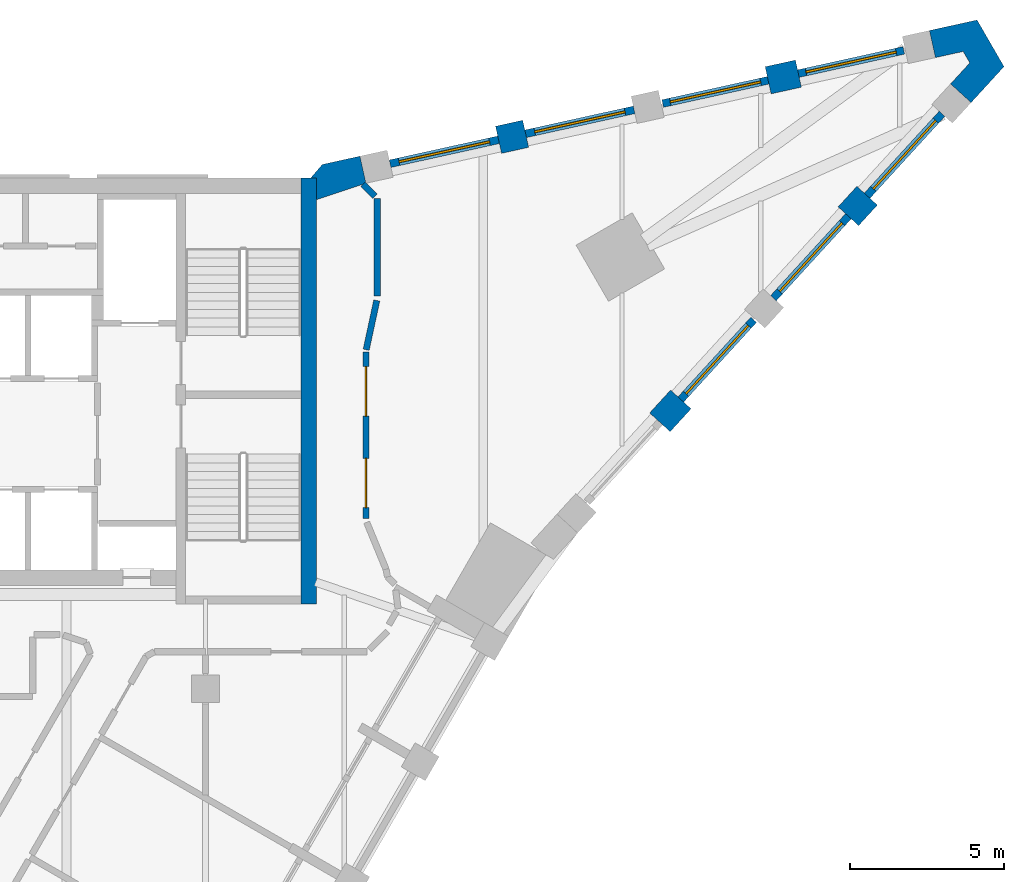
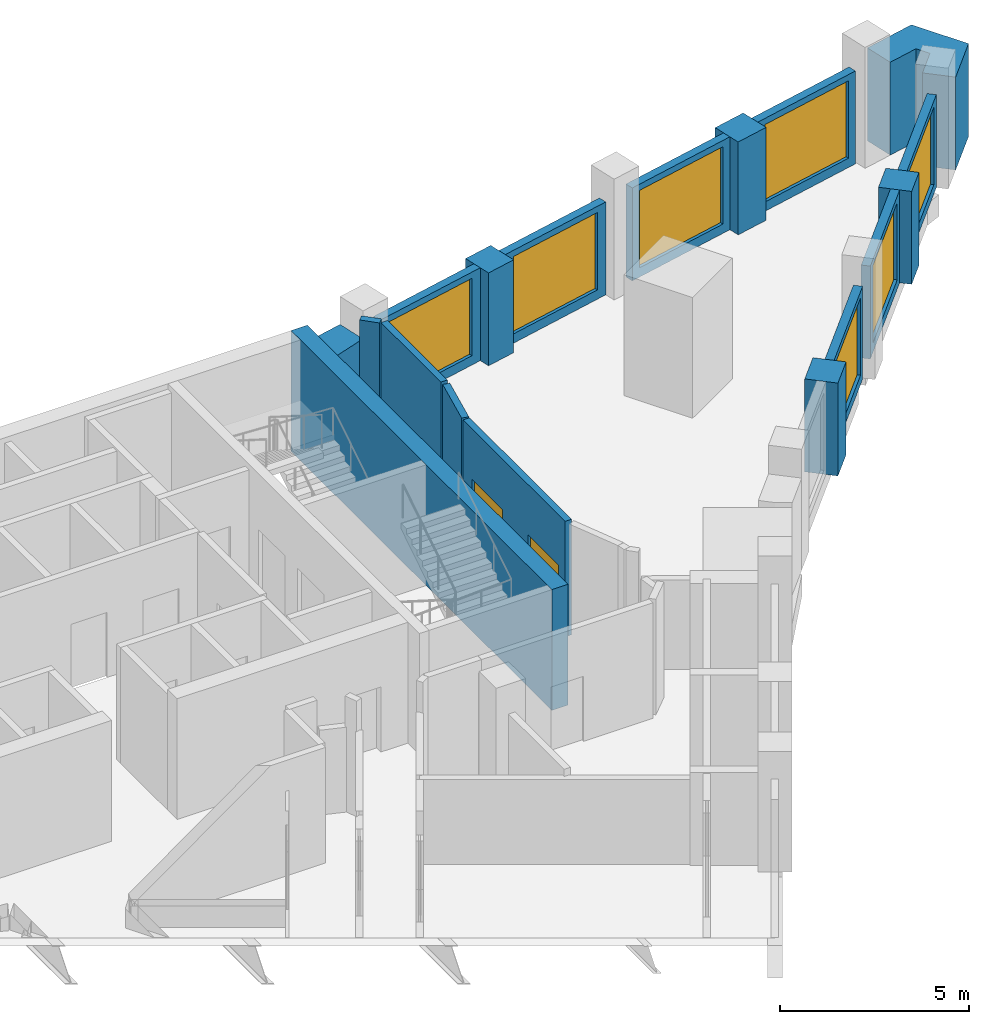
# One storey, part 7 of 9: 18 walls, 7 windows, 2 doors, 9 openings.
"""IFC4 building model written with IfcOpenShell, lengths in metres."""

from ifc_helpers import new_model, si_unit, direction, frame, frame_2d, origin, place, context, subcontext, project, spatial, polyline, rectangle, outline, extrude, material, layer, layer_set, type_object, element, fill, save


model = new_model("IFC4")

# Units and contexts
model_context = context("Model", 3, precision=1e-05, world=origin(), true_north=direction((0.0, 1.0)))
body_context = subcontext(model_context, "Body", "Model", "MODEL_VIEW")
ifc_project = project(units=[si_unit("LENGTHUNIT", "METRE"), si_unit("AREAUNIT", "SQUARE_METRE"), si_unit("VOLUMEUNIT", "CUBIC_METRE"), si_unit("PLANEANGLEUNIT", "RADIAN"), si_unit("MASSUNIT", "GRAM", prefix="KILO")], contexts=[model_context])

# Site, building, storey
site_placement = place(None, origin())
site = spatial("IfcSite", under=ifc_project, at=site_placement, CompositionType="ELEMENT")
building_placement = place(site_placement, origin())
building = spatial("IfcBuilding", under=site, at=building_placement, Name="Calabash Gate Tower", CompositionType="ELEMENT")
storey_placement = place(building_placement, frame((0.0, 0.0, 291.10009765625)))
storey = spatial("IfcBuildingStorey", under=building, at=storey_placement, Name="L70", CompositionType="ELEMENT", Elevation=291.10009765625)

# Walls
ifc_material_1 = material(Name="Terracotta brick masonry, exposed face", Category="masonry")
ifc_layer_1 = layer(ifc_material_1, 0.89990234375)
ifc_layer_set_1 = layer_set([ifc_layer_1], Name="Brick end wall 900")
wall_type_1 = type_object("IfcWallType", Name="Brick end wall 900", PredefinedType="SOLIDWALL", material=ifc_layer_set_1)
wall_1_placement = place(storey_placement, frame((23.728515625, 11.135009765625, 0.0), z_axis=(0.0, 0.0, 1.0), x_axis=(0.674788120713, 0.738011512203, 0.0)))
element("IfcWall", 1, at=wall_1_placement, inside=storey, type_object=wall_type_1, Name="Brick pier S21 wedge3.1", PredefinedType="SOLIDWALL", context=body_context, shape_type="SweptSolid", body=[
    extrude(rectangle(XDim=1.00390625, YDim=0.89990234375, at=frame_2d((0.501953125, 0.0))), origin(), (0.0, 0.0, 1.0), 3.0),
])
wall_2_placement = place(storey_placement, frame((30.44482421875, 18.47900390625, 0.0), z_axis=(0.0, 0.0, 1.0), x_axis=(-0.674938051731, -0.737874397391, 0.0)))
element("IfcWall", 2, at=wall_2_placement, inside=storey, type_object=wall_type_1, Name="Brick pier S21 wedge3.3", PredefinedType="SOLIDWALL", context=body_context, shape_type="SweptSolid", body=[
    extrude(rectangle(XDim=0.89990234375, YDim=0.89990234375, at=frame_2d((0.449951171875, 0.0))), origin(), (0.0, 0.0, 1.0), 3.0),
])
wall_3_placement = place(storey_placement, frame((28.21728515625, 22.436279296875, 0.0), z_axis=(0.0, 0.0, 1.0), x_axis=(-0.97656888558, -0.215205045752, 0.0)))
element("IfcWall", 3, at=wall_3_placement, inside=storey, type_object=wall_type_1, Name="Brick pier S21 wedge5.1", PredefinedType="SOLIDWALL", context=body_context, shape_type="SweptSolid", body=[
    extrude(rectangle(XDim=1.00390625, YDim=0.89990234375, at=frame_2d((0.501953125, 0.0))), origin(), (0.0, 0.0, 1.0), 3.0),
])
wall_4_placement = place(storey_placement, frame((18.4990234375, 20.2919921875, 0.0), z_axis=(0.0, 0.0, 1.0), x_axis=(0.976473402733, 0.215637876437, 0.0)))
element("IfcWall", 4, at=wall_4_placement, inside=storey, type_object=wall_type_1, Name="Brick pier S21 wedge5.3", PredefinedType="SOLIDWALL", context=body_context, shape_type="SweptSolid", body=[
    extrude(rectangle(XDim=0.900146484375, YDim=0.89990234375, at=frame_2d((0.4501953125, 0.0))), origin(), (0.0, 0.0, 1.0), 3.0),
])
wall_5_placement = place(storey_placement, origin())
element("IfcWall", 5, at=wall_5_placement, inside=storey, type_object=wall_type_1, Name="Brick end wall S21 2", PredefinedType="SOLIDWALL", context=body_context, shape_type="SweptSolid", body=[
    extrude(outline(polyline([(33.813720703125, 21.496337890625), (34.881591796875, 22.663818359375), (34.0087890625, 24.175048828125), (32.4638671875, 23.834228515625), (32.65771484375, 22.955322265625), (33.55908203125, 23.154296875), (33.7724609375, 22.78466796875), (33.149658203125, 22.103759765625), (33.813720703125, 21.496337890625)])), origin(), (0.0, 0.0, 1.0), 3.0),
])
wall_6_placement = place(storey_placement, origin())
element("IfcWall", 6, at=wall_6_placement, inside=storey, type_object=wall_type_1, Name="Brick end wall S21 3", PredefinedType="SOLIDWALL", context=body_context, shape_type="SweptSolid", body=[
    extrude(outline(polyline([(14.201416015625, 18.883056640625), (14.0078125, 19.761962890625), (12.784423828125, 19.491943359375), (12.410400390625, 19.052490234375), (12.60009765625, 19.052490234375), (12.60009765625, 18.351806640625), (14.201416015625, 18.883056640625)])), origin(), (0.0, 0.0, 1.0), 3.0),
])
ifc_material_2 = material(Name="Concrete C60/75", Category="concrete")
ifc_layer_2 = layer(ifc_material_2, 0.5)
ifc_layer_set_2 = layer_set([ifc_layer_2], Name="Core wall 500 Concrete C60/75")
wall_type_2 = type_object("IfcWallType", Name="Core wall 500 Concrete C60/75", PredefinedType="SHEAR", material=ifc_layer_set_2)
wall_7_placement = place(storey_placement, frame((12.35009765625, 5.252685546875, 0.0), z_axis=(0.0, 0.0, 1.0), x_axis=(0.0, 1.0, 0.0)))
element("IfcWall", 7, at=wall_7_placement, inside=storey, type_object=wall_type_2, Name="Core wall Z5-COLE L70", PredefinedType="SHEAR", context=body_context, shape_type="SweptSolid", body=[
    extrude(rectangle(XDim=13.7998046875, YDim=0.5, at=frame_2d((6.89990234375, 0.0))), origin(), (0.0, 0.0, 1.0), 3.89990234375),
])

# Wall, openings, doors
ifc_material_3 = material(Name="Gypsum board on steel studs, mineral wool", Category="steel")
ifc_layer_3 = layer(ifc_material_3, 0.199951171875)
ifc_layer_set_3 = layer_set([ifc_layer_3], Name="Partition 200 gypsum board EI 60")
wall_type_3 = type_object("IfcWallType", Name="Partition 200 gypsum board EI 60", PredefinedType="PARTITIONING", material=ifc_layer_set_3)
wall_8_placement = place(storey_placement, frame((14.200439453125, 8.017333984375, 0.0), z_axis=(0.0, 0.0, 1.0), x_axis=(0.0, 1.0, 0.0)))
wall_8 = element("IfcWall", 8, at=wall_8_placement, inside=storey, type_object=wall_type_3, Name="Partition", PredefinedType="PARTITIONING", context=body_context, shape_type="SweptSolid", body=[
    extrude(rectangle(XDim=5.400146484375, YDim=0.199951171875, at=frame_2d((2.7001953125, 0.0))), origin(), (0.0, 0.0, 1.0), 3.72998046875),
])
opening_1_placement = place(wall_8_placement, frame((3.3203125, 0.0, 0.0)))
opening_1 = element("IfcOpeningElement", 9, at=opening_1_placement, cuts=wall_8, Name="Opening 69-70-007", PredefinedType="OPENING", context=body_context, shape_type="SweptSolid", body=[
    extrude(rectangle(XDim=1.60009765625, YDim=2.10009765625, at=frame_2d((0.800048828125, 1.050048828125))), frame((0.0, 0.10986328125, 0.0), z_axis=(0.0, -1.0, 0.0), x_axis=(1.0, 0.0, 0.0)), (0.0, 0.0, 1.0), 0.219970703125),
])
opening_2_placement = place(wall_8_placement, frame((0.35009765625, 0.0, 0.0)))
opening_2 = element("IfcOpeningElement", 10, at=opening_2_placement, cuts=wall_8, Name="Opening 69-70-008", PredefinedType="OPENING", context=body_context, shape_type="SweptSolid", body=[
    extrude(rectangle(XDim=1.60009765625, YDim=2.10009765625, at=frame_2d((0.800048828125, 1.050048828125))), frame((0.0, 0.10986328125, 0.0), z_axis=(0.0, -1.0, 0.0), x_axis=(1.0, 0.0, 0.0)), (0.0, 0.0, 1.0), 0.219970703125),
])
ifc_material_4 = material(Name="Steel fire door set with fire-resisting glazing", Category="steel")
door_type = type_object("IfcDoorType", Name="LD1 Lounge double door 1600x2100", OperationType="NOTDEFINED", PredefinedType="DOOR", material=ifc_material_4)
door_1_placement = place(opening_1_placement, origin())
door_1 = element("IfcDoor", 11, at=door_1_placement, inside=storey, type_object=door_type, Name="Lounge double door", OperationType="DOUBLE_DOOR_SINGLE_SWING", OverallHeight=2.10009765625, OverallWidth=1.60009765625, PredefinedType="DOOR", context=body_context, shape_type="SweptSolid", body=[
    extrude(rectangle(XDim=1.60009765625, YDim=2.10009765625, at=frame_2d((0.800048828125, 1.050048828125))), frame((0.0, 0.02490234375, 0.0), z_axis=(0.0, -1.0, 0.0), x_axis=(1.0, 0.0, 0.0)), (0.0, 0.0, 1.0), 0.050048828125),
])
fill(opening_1, door_1)
door_2_placement = place(opening_2_placement, origin())
door_2 = element("IfcDoor", 12, at=door_2_placement, inside=storey, type_object=door_type, Name="Lounge double door", OperationType="DOUBLE_DOOR_SINGLE_SWING", OverallHeight=2.10009765625, OverallWidth=1.60009765625, PredefinedType="DOOR", context=body_context, shape_type="SweptSolid", body=[
    extrude(rectangle(XDim=1.60009765625, YDim=2.10009765625, at=frame_2d((0.800048828125, 1.050048828125))), frame((0.0, 0.02490234375, 0.0), z_axis=(0.0, -1.0, 0.0), x_axis=(1.0, 0.0, 0.0)), (0.0, 0.0, 1.0), 0.050048828125),
])
fill(opening_2, door_2)

# Walls
wall_9_placement = place(storey_placement, frame((14.2080078125, 13.48681640625, 0.0), z_axis=(0.0, 0.0, 1.0), x_axis=(0.210294567168, 0.977638069543, 0.0)))
element("IfcWall", 13, at=wall_9_placement, inside=storey, type_object=wall_type_3, Name="Partition", PredefinedType="PARTITIONING", context=body_context, shape_type="SweptSolid", body=[
    extrude(rectangle(XDim=1.633544921875, YDim=0.199951171875, at=frame_2d((0.81689453125, 0.0))), origin(), (0.0, 0.0, 1.0), 3.72998046875),
])
wall_10_placement = place(storey_placement, frame((14.566162109375, 18.392578125, 0.0), z_axis=(0.0, 0.0, 1.0), x_axis=(0.0, -1.0, 0.0)))
element("IfcWall", 14, at=wall_10_placement, inside=storey, type_object=wall_type_3, Name="Partition", PredefinedType="PARTITIONING", context=body_context, shape_type="SweptSolid", body=[
    extrude(rectangle(XDim=3.169921875, YDim=0.199951171875, at=frame_2d((1.5849609375, 0.0))), origin(), (0.0, 0.0, 1.0), 3.72998046875),
])
wall_11_placement = place(storey_placement, frame((14.107177734375, 18.851806640625, 0.0), z_axis=(0.0, 0.0, 1.0), x_axis=(0.707106781187, -0.707106781187, 0.0)))
element("IfcWall", 15, at=wall_11_placement, inside=storey, type_object=wall_type_3, Name="Partition", PredefinedType="PARTITIONING", context=body_context, shape_type="SweptSolid", body=[
    extrude(rectangle(XDim=0.54931640625, YDim=0.199951171875, at=frame_2d((0.274658203125, 0.0))), origin(), (0.0, 0.0, 1.0), 3.72998046875),
])

# Wall, opening, window
ifc_material_5 = material(Name="Aluminium framed window wall with insulated spandrel", Category="aluminium")
ifc_layer_4 = layer(ifc_material_5, 0.25)
ifc_layer_set_4 = layer_set([ifc_layer_4], Name="Prow window wall 250")
wall_type_4 = type_object("IfcWallType", Name="Prow window wall 250", PredefinedType="ELEMENTEDWALL", material=ifc_layer_set_4)
wall_12_placement = place(storey_placement, frame((24.40478515625, 11.87451171875, 0.0), z_axis=(0.0, 0.0, 1.0), x_axis=(0.67487449122, 0.737932531537, 0.0)))
wall_12 = element("IfcWall", 16, at=wall_12_placement, inside=storey, type_object=wall_type_4, Name="Prow window wall S21 wedge3.2", PredefinedType="ELEMENTEDWALL", context=body_context, shape_type="SweptSolid", body=[
    extrude(rectangle(XDim=3.5, YDim=0.25, at=frame_2d((1.75, 0.0))), origin(), (0.0, 0.0, 1.0), 3.0),
])
opening_3_placement = place(wall_12_placement, frame((0.25, 0.0, 0.300048828125)))
opening_3 = element("IfcOpeningElement", 17, at=opening_3_placement, cuts=wall_12, Name="Opening WP2", PredefinedType="OPENING", context=body_context, shape_type="SweptSolid", body=[
    extrude(rectangle(XDim=3.0, YDim=2.5, at=frame_2d((1.5, 1.25))), frame((0.0, 0.135009765625, 0.0), z_axis=(0.0, -1.0, 0.0), x_axis=(1.0, 0.0, 0.0)), (0.0, 0.0, 1.0), 0.27001953125),
])
ifc_material_6 = material(Name="Anodised aluminium frame, bronze finish, impact-rated laminated clear glazing", Category="aluminium")
window_type = type_object("IfcWindowType", Name="Window WP2 3000x2500", PartitioningType="DOUBLE_PANEL_VERTICAL", PredefinedType="WINDOW", material=ifc_material_6)
window_1_placement = place(opening_3_placement, origin())
window_1 = element("IfcWindow", 18, at=window_1_placement, inside=storey, type_object=window_type, Name="Prow window WP2 S21 wedge3.2", OverallHeight=2.5, OverallWidth=3.0, PartitioningType="SINGLE_PANEL", PredefinedType="WINDOW", context=body_context, shape_type="SweptSolid", body=[
    extrude(rectangle(XDim=3.0, YDim=2.5, at=frame_2d((1.5, 1.25))), frame((0.0, 0.030029296875, 0.0), z_axis=(0.0, -1.0, 0.0), x_axis=(1.0, 0.0, 0.0)), (0.0, 0.0, 1.0), 0.06005859375),
])
fill(opening_3, window_1)

wall_13_placement = place(storey_placement, frame((27.407958984375, 15.158203125, 0.0), z_axis=(0.0, 0.0, 1.0), x_axis=(0.674833575111, 0.737969949187, 0.0)))
wall_13 = element("IfcWall", 19, at=wall_13_placement, inside=storey, type_object=wall_type_4, Name="Prow window wall S21 wedge3.3", PredefinedType="ELEMENTEDWALL", context=body_context, shape_type="SweptSolid", body=[
    extrude(rectangle(XDim=3.60009765625, YDim=0.25, at=frame_2d((1.800048828125, 0.0))), origin(), (0.0, 0.0, 1.0), 3.0),
])
opening_4_placement = place(wall_13_placement, frame((0.300048828125, 0.0, 0.300048828125)))
opening_4 = element("IfcOpeningElement", 20, at=opening_4_placement, cuts=wall_13, Name="Opening WP2", PredefinedType="OPENING", context=body_context, shape_type="SweptSolid", body=[
    extrude(rectangle(XDim=3.0, YDim=2.5, at=frame_2d((1.5, 1.25))), frame((0.0, 0.135009765625, 0.0), z_axis=(0.0, -1.0, 0.0), x_axis=(1.0, 0.0, 0.0)), (0.0, 0.0, 1.0), 0.27001953125),
])
window_2_placement = place(opening_4_placement, origin())
window_2 = element("IfcWindow", 21, at=window_2_placement, inside=storey, type_object=window_type, Name="Prow window WP2 S21 wedge3.3", OverallHeight=2.5, OverallWidth=3.0, PartitioningType="SINGLE_PANEL", PredefinedType="WINDOW", context=body_context, shape_type="SweptSolid", body=[
    extrude(rectangle(XDim=3.0, YDim=2.5, at=frame_2d((1.5, 1.25))), frame((0.0, 0.030029296875, 0.0), z_axis=(0.0, -1.0, 0.0), x_axis=(1.0, 0.0, 0.0)), (0.0, 0.0, 1.0), 0.06005859375),
])
fill(opening_4, window_2)

wall_14_placement = place(storey_placement, frame((30.44482421875, 18.47900390625, 0.0), z_axis=(0.0, 0.0, 1.0), x_axis=(0.674833575111, 0.737969949187, 0.0)))
wall_14 = element("IfcWall", 22, at=wall_14_placement, inside=storey, type_object=wall_type_4, Name="Prow window wall S21 wedge3.4", PredefinedType="ELEMENTEDWALL", context=body_context, shape_type="SweptSolid", body=[
    extrude(rectangle(XDim=3.60009765625, YDim=0.25, at=frame_2d((1.800048828125, 0.0))), origin(), (0.0, 0.0, 1.0), 3.0),
])
opening_5_placement = place(wall_14_placement, frame((0.300048828125, 0.0, 0.300048828125)))
opening_5 = element("IfcOpeningElement", 23, at=opening_5_placement, cuts=wall_14, Name="Opening WP2", PredefinedType="OPENING", context=body_context, shape_type="SweptSolid", body=[
    extrude(rectangle(XDim=3.0, YDim=2.5, at=frame_2d((1.5, 1.25))), frame((0.0, 0.135009765625, 0.0), z_axis=(0.0, -1.0, 0.0), x_axis=(1.0, 0.0, 0.0)), (0.0, 0.0, 1.0), 0.27001953125),
])
window_3_placement = place(opening_5_placement, origin())
window_3 = element("IfcWindow", 24, at=window_3_placement, inside=storey, type_object=window_type, Name="Prow window WP2 S21 wedge3.4", OverallHeight=2.5, OverallWidth=3.0, PartitioningType="SINGLE_PANEL", PredefinedType="WINDOW", context=body_context, shape_type="SweptSolid", body=[
    extrude(rectangle(XDim=3.0, YDim=2.5, at=frame_2d((1.5, 1.25))), frame((0.0, 0.030029296875, 0.0), z_axis=(0.0, -1.0, 0.0), x_axis=(1.0, 0.0, 0.0)), (0.0, 0.0, 1.0), 0.06005859375),
])
fill(opening_5, window_3)

wall_15_placement = place(storey_placement, frame((31.633056640625, 23.190185546875, 0.0), z_axis=(0.0, 0.0, 1.0), x_axis=(-0.976509313763, -0.215475196101, 0.0)))
wall_15 = element("IfcWall", 25, at=wall_15_placement, inside=storey, type_object=wall_type_4, Name="Prow window wall S21 wedge5.1", PredefinedType="ELEMENTEDWALL", context=body_context, shape_type="SweptSolid", body=[
    extrude(rectangle(XDim=3.5, YDim=0.25, at=frame_2d((1.75, 0.0))), origin(), (0.0, 0.0, 1.0), 3.0),
])
opening_6_placement = place(wall_15_placement, frame((0.25, 0.0, 0.300048828125)))
opening_6 = element("IfcOpeningElement", 26, at=opening_6_placement, cuts=wall_15, Name="Opening WP2", PredefinedType="OPENING", context=body_context, shape_type="SweptSolid", body=[
    extrude(rectangle(XDim=3.0, YDim=2.5, at=frame_2d((1.5, 1.25))), frame((0.0, 0.135009765625, 0.0), z_axis=(0.0, -1.0, 0.0), x_axis=(1.0, 0.0, 0.0)), (0.0, 0.0, 1.0), 0.27001953125),
])
window_4_placement = place(opening_6_placement, origin())
window_4 = element("IfcWindow", 27, at=window_4_placement, inside=storey, type_object=window_type, Name="Prow window WP2 S21 wedge5.1", OverallHeight=2.5, OverallWidth=3.0, PartitioningType="SINGLE_PANEL", PredefinedType="WINDOW", context=body_context, shape_type="SweptSolid", body=[
    extrude(rectangle(XDim=3.0, YDim=2.5, at=frame_2d((1.5, 1.25))), frame((0.0, 0.030029296875, 0.0), z_axis=(0.0, -1.0, 0.0), x_axis=(1.0, 0.0, 0.0)), (0.0, 0.0, 1.0), 0.06005859375),
])
fill(opening_6, window_4)

wall_16_placement = place(storey_placement, frame((27.23876953125, 22.220458984375, 0.0), z_axis=(0.0, 0.0, 1.0), x_axis=(-0.976509313763, -0.215475196101, 0.0)))
wall_16 = element("IfcWall", 28, at=wall_16_placement, inside=storey, type_object=wall_type_4, Name="Prow window wall S21 wedge5.2", PredefinedType="ELEMENTEDWALL", context=body_context, shape_type="SweptSolid", body=[
    extrude(rectangle(XDim=3.5, YDim=0.25, at=frame_2d((1.75, 0.0))), origin(), (0.0, 0.0, 1.0), 3.0),
])
opening_7_placement = place(wall_16_placement, frame((0.25, 0.0, 0.300048828125)))
opening_7 = element("IfcOpeningElement", 29, at=opening_7_placement, cuts=wall_16, Name="Opening WP2", PredefinedType="OPENING", context=body_context, shape_type="SweptSolid", body=[
    extrude(rectangle(XDim=3.0, YDim=2.5, at=frame_2d((1.5, 1.25))), frame((0.0, 0.135009765625, 0.0), z_axis=(0.0, -1.0, 0.0), x_axis=(1.0, 0.0, 0.0)), (0.0, 0.0, 1.0), 0.27001953125),
])
window_5_placement = place(opening_7_placement, origin())
window_5 = element("IfcWindow", 30, at=window_5_placement, inside=storey, type_object=window_type, Name="Prow window WP2 S21 wedge5.2", OverallHeight=2.5, OverallWidth=3.0, PartitioningType="SINGLE_PANEL", PredefinedType="WINDOW", context=body_context, shape_type="SweptSolid", body=[
    extrude(rectangle(XDim=3.0, YDim=2.5, at=frame_2d((1.5, 1.25))), frame((0.0, 0.030029296875, 0.0), z_axis=(0.0, -1.0, 0.0), x_axis=(1.0, 0.0, 0.0)), (0.0, 0.0, 1.0), 0.06005859375),
])
fill(opening_7, window_5)

wall_17_placement = place(storey_placement, frame((22.893310546875, 21.26171875, 0.0), z_axis=(0.0, 0.0, 1.0), x_axis=(-0.976513072969, -0.215458159096, 0.0)))
wall_17 = element("IfcWall", 31, at=wall_17_placement, inside=storey, type_object=wall_type_4, Name="Prow window wall S21 wedge5.3", PredefinedType="ELEMENTEDWALL", context=body_context, shape_type="SweptSolid", body=[
    extrude(rectangle(XDim=3.599853515625, YDim=0.25, at=frame_2d((1.7998046875, 0.0))), origin(), (0.0, 0.0, 1.0), 3.0),
])
opening_8_placement = place(wall_17_placement, frame((0.300048828125, 0.0, 0.300048828125)))
opening_8 = element("IfcOpeningElement", 32, at=opening_8_placement, cuts=wall_17, Name="Opening WP2", PredefinedType="OPENING", context=body_context, shape_type="SweptSolid", body=[
    extrude(rectangle(XDim=3.0, YDim=2.5, at=frame_2d((1.5, 1.25))), frame((0.0, 0.135009765625, 0.0), z_axis=(0.0, -1.0, 0.0), x_axis=(1.0, 0.0, 0.0)), (0.0, 0.0, 1.0), 0.27001953125),
])
window_6_placement = place(opening_8_placement, origin())
window_6 = element("IfcWindow", 33, at=window_6_placement, inside=storey, type_object=window_type, Name="Prow window WP2 S21 wedge5.3", OverallHeight=2.5, OverallWidth=3.0, PartitioningType="SINGLE_PANEL", PredefinedType="WINDOW", context=body_context, shape_type="SweptSolid", body=[
    extrude(rectangle(XDim=3.0, YDim=2.5, at=frame_2d((1.5, 1.25))), frame((0.0, 0.030029296875, 0.0), z_axis=(0.0, -1.0, 0.0), x_axis=(1.0, 0.0, 0.0)), (0.0, 0.0, 1.0), 0.06005859375),
])
fill(opening_8, window_6)

wall_18_placement = place(storey_placement, frame((18.4990234375, 20.2919921875, 0.0), z_axis=(0.0, 0.0, 1.0), x_axis=(-0.976513072969, -0.215458159096, 0.0)))
wall_18 = element("IfcWall", 34, at=wall_18_placement, inside=storey, type_object=wall_type_4, Name="Prow window wall S21 wedge5.4", PredefinedType="ELEMENTEDWALL", context=body_context, shape_type="SweptSolid", body=[
    extrude(rectangle(XDim=3.599853515625, YDim=0.25, at=frame_2d((1.7998046875, 0.0))), origin(), (0.0, 0.0, 1.0), 3.0),
])
opening_9_placement = place(wall_18_placement, frame((0.300048828125, 0.0, 0.300048828125)))
opening_9 = element("IfcOpeningElement", 35, at=opening_9_placement, cuts=wall_18, Name="Opening WP2", PredefinedType="OPENING", context=body_context, shape_type="SweptSolid", body=[
    extrude(rectangle(XDim=3.0, YDim=2.5, at=frame_2d((1.5, 1.25))), frame((0.0, 0.135009765625, 0.0), z_axis=(0.0, -1.0, 0.0), x_axis=(1.0, 0.0, 0.0)), (0.0, 0.0, 1.0), 0.27001953125),
])
window_7_placement = place(opening_9_placement, origin())
window_7 = element("IfcWindow", 36, at=window_7_placement, inside=storey, type_object=window_type, Name="Prow window WP2 S21 wedge5.4", OverallHeight=2.5, OverallWidth=3.0, PartitioningType="SINGLE_PANEL", PredefinedType="WINDOW", context=body_context, shape_type="SweptSolid", body=[
    extrude(rectangle(XDim=3.0, YDim=2.5, at=frame_2d((1.5, 1.25))), frame((0.0, 0.030029296875, 0.0), z_axis=(0.0, -1.0, 0.0), x_axis=(1.0, 0.0, 0.0)), (0.0, 0.0, 1.0), 0.06005859375),
])
fill(opening_9, window_7)

save(model, "model.ifc")
